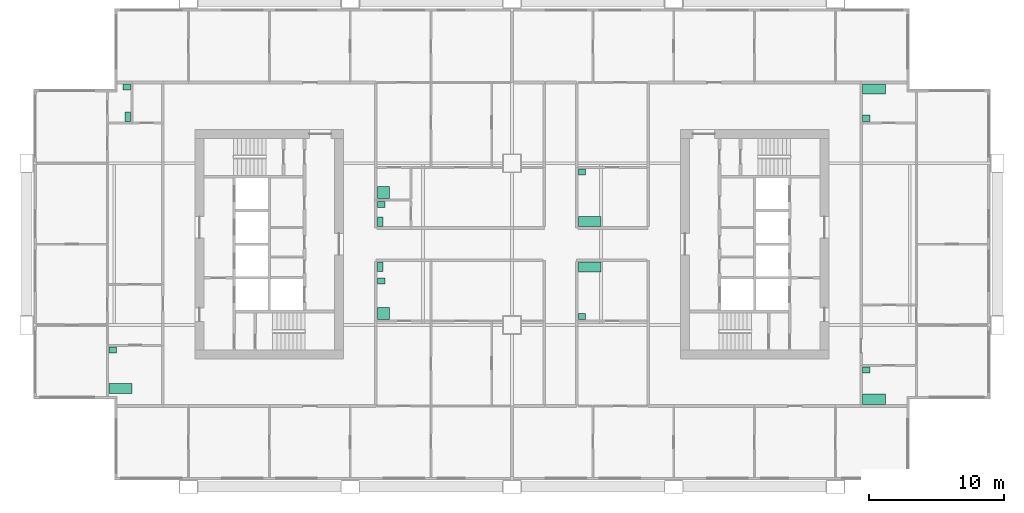
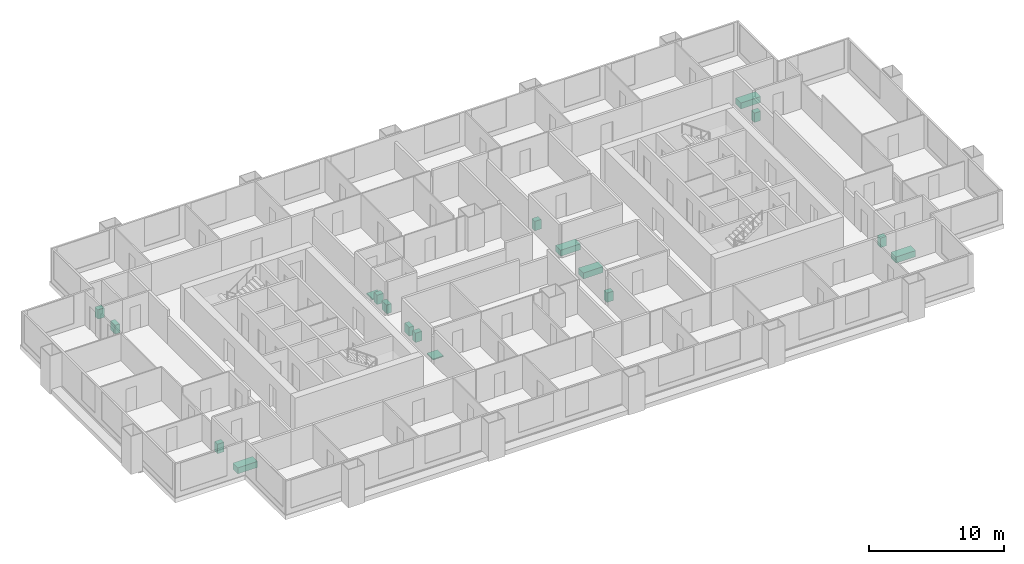
# One storey, part 11 of 11: 18 sanitary terminals.
"""IFC4 building model written with IfcOpenShell, lengths in metres."""

from ifc_helpers import new_model, si_unit, direction, frame, origin, origin_2d, place, context, subcontext, project, spatial, rectangle, extrude, material, type_object, element, save


model = new_model("IFC4")

# Units and contexts
model_context = context("Model", 3, precision=1e-05, world=origin(), true_north=direction((0.0, 1.0)))
body_context = subcontext(model_context, "Body", "Model", "MODEL_VIEW")
ifc_project = project(units=[si_unit("LENGTHUNIT", "METRE"), si_unit("AREAUNIT", "SQUARE_METRE"), si_unit("VOLUMEUNIT", "CUBIC_METRE"), si_unit("PLANEANGLEUNIT", "RADIAN"), si_unit("MASSUNIT", "GRAM", prefix="KILO")], contexts=[model_context])

# Site, building, storey
site_placement = place(None, origin())
site = spatial("IfcSite", under=ifc_project, at=site_placement, CompositionType="ELEMENT")
building_placement = place(site_placement, origin())
building = spatial("IfcBuilding", under=site, at=building_placement, Name="Kitamizu Gate Tower and Museum", CompositionType="ELEMENT")
storey_placement = place(building_placement, frame((0.0, 0.0, 127.64990234375)))
storey = spatial("IfcBuildingStorey", under=building, at=storey_placement, Name="L33", CompositionType="ELEMENT", Elevation=127.64990234375)

# Sanitary terminals
ifc_material_1 = material(Name="Acrylic")
sanitary_terminal_type_1 = type_object("IfcSanitaryTerminalType", Name="Bath", PredefinedType="BATH", material=ifc_material_1)
for number, where, z_axis, x_axis, name in (
    (1, (41.77001953125, 28.304931640625, 0.0009765625), (0.0, 0.0, 1.0), (1.0, 0.0, 0.0), "Bath Bathroom and WC 33B"),
    (2, (6.969970703125, 19.294921875, 0.0009765625), (0.0, 0.0, 1.0), (1.0, 0.0, 0.0), "Bath Bathroom 33D"),
    (3, (41.77001953125, 31.695068359375, 0.0009765625), (0.0, 0.0, 1.0), (1.0, 0.0, 0.0), "Bath Bathroom and WC 33E"),
    (4, (62.8701171875, 18.4951171875, 0.0009765625), (0.0, 0.0, 1.0), (1.0, 0.0, 0.0), "Bath Bathroom and WC 33F"),
    (5, (62.8701171875, 41.5048828125, 0.0009765625), (0.0, 0.0, 1.0), (1.0, 0.0, 0.0), "Bath Bathroom 33F"),
):
    element("IfcSanitaryTerminal", number, at=place(storey_placement, frame(where, z_axis=z_axis, x_axis=x_axis)), inside=storey, type_object=sanitary_terminal_type_1, Name=name, PredefinedType="BATH", context=body_context, shape_type="SweptSolid", body=[
        extrude(rectangle(XDim=1.699951171875, YDim=0.75, at=origin_2d()), origin(), (0.0, 0.0, 1.0), 0.550048828125),
    ])
ifc_material_2 = material(Name="Acrylic")
sanitary_terminal_type_2 = type_object("IfcSanitaryTerminalType", Name="Shower tray", PredefinedType="SHOWER", material=ifc_material_2)
for number, where, z_axis, x_axis, name in (
    (6, (26.469970703125, 24.8701171875, 0.0009765625), (0.0, 0.0, 1.0), (1.0, 0.0, 0.0), "Shower tray En-suite bathroom and WC 33A"),
    (7, (26.469970703125, 33.846923828125, 0.0009765625), (0.0, 0.0, 1.0), (1.0, 0.0, 0.0), "Shower tray Shower room 33C"),
):
    element("IfcSanitaryTerminal", number, at=place(storey_placement, frame(where, z_axis=z_axis, x_axis=x_axis)), inside=storey, type_object=sanitary_terminal_type_2, Name=name, PredefinedType="SHOWER", context=body_context, shape_type="SweptSolid", body=[
        extrude(rectangle(XDim=0.89990234375, YDim=0.89990234375, at=origin_2d()), origin(), (0.0, 0.0, 1.0), 0.10009765625),
    ])
ifc_material_3 = material(Name="Vitreous china")
sanitary_terminal_type_3 = type_object("IfcSanitaryTerminalType", Name="Wash hand basin", PredefinedType="WASHHANDBASIN", material=ifc_material_3)
for number, where, z_axis, x_axis, name in (
    (8, (26.294921875, 27.2548828125, 0.0009765625), (0.0, 0.0, 1.0), (1.0, 0.0, 0.0), "Wash hand basin En-suite bathroom and WC 33A"),
    (9, (41.195068359375, 24.64501953125, 0.0009765625), (0.0, 0.0, 1.0), (1.0, 0.0, 0.0), "Wash hand basin Bathroom and WC 33B"),
    (10, (26.294921875, 32.931884765625, 0.0009765625), (0.0, 0.0, 1.0), (1.0, 0.0, 0.0), "Wash hand basin WC 33C"),
    (11, (6.39501953125, 22.155029296875, 0.0009765625), (0.0, 0.0, 1.0), (1.0, 0.0, 0.0), "Wash hand basin Bathroom 33D"),
    (12, (7.405029296875, 41.655029296875, 0.0009765625), (0.0, 0.0, 1.0), (1.0, 0.0, 0.0), "Wash hand basin WC 33D"),
    (13, (41.195068359375, 35.35498046875, 0.0009765625), (0.0, 0.0, 1.0), (1.0, 0.0, 0.0), "Wash hand basin Bathroom and WC 33E"),
    (14, (62.294921875, 20.655029296875, 0.0009765625), (0.0, 0.0, 1.0), (1.0, 0.0, 0.0), "Wash hand basin Bathroom and WC 33F"),
    (15, (62.294921875, 39.344970703125, 0.0009765625), (0.0, 0.0, 1.0), (1.0, 0.0, 0.0), "Wash hand basin Bathroom 33F"),
):
    element("IfcSanitaryTerminal", number, at=place(storey_placement, frame(where, z_axis=z_axis, x_axis=x_axis)), inside=storey, type_object=sanitary_terminal_type_3, Name=name, PredefinedType="WASHHANDBASIN", context=body_context, shape_type="SweptSolid", body=[
        extrude(rectangle(XDim=0.550048828125, YDim=0.449951171875, at=origin_2d()), origin(), (0.0, 0.0, 1.0), 0.85009765625),
    ])
ifc_material_4 = material(Name="Vitreous china")
sanitary_terminal_type_4 = type_object("IfcSanitaryTerminalType", Name="Water closet", PredefinedType="TOILETPAN", material=ifc_material_4)
for number, where, z_axis, x_axis, name in (
    (16, (26.219970703125, 28.330078125, 0.0009765625), (0.0, 0.0, 1.0), (1.0, 0.0, 0.0), "Water closet En-suite bathroom and WC 33A"),
    (17, (26.219970703125, 31.669921875, 0.0009765625), (0.0, 0.0, 1.0), (1.0, 0.0, 0.0), "Water closet WC 33C"),
    (18, (7.47998046875, 39.469970703125, 0.0009765625), (0.0, 0.0, 1.0), (1.0, 0.0, 0.0), "Water closet WC 33D"),
):
    element("IfcSanitaryTerminal", number, at=place(storey_placement, frame(where, z_axis=z_axis, x_axis=x_axis)), inside=storey, type_object=sanitary_terminal_type_4, Name=name, PredefinedType="TOILETPAN", context=body_context, shape_type="SweptSolid", body=[
        extrude(rectangle(XDim=0.39990234375, YDim=0.699951171875, at=origin_2d()), origin(), (0.0, 0.0, 1.0), 0.800048828125),
    ])

save(model, "model.ifc")
